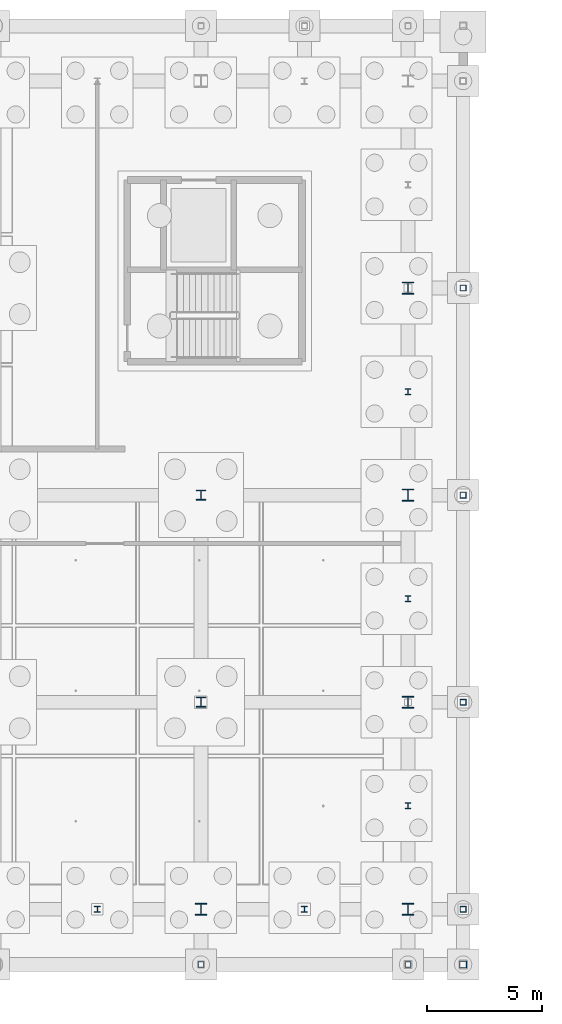
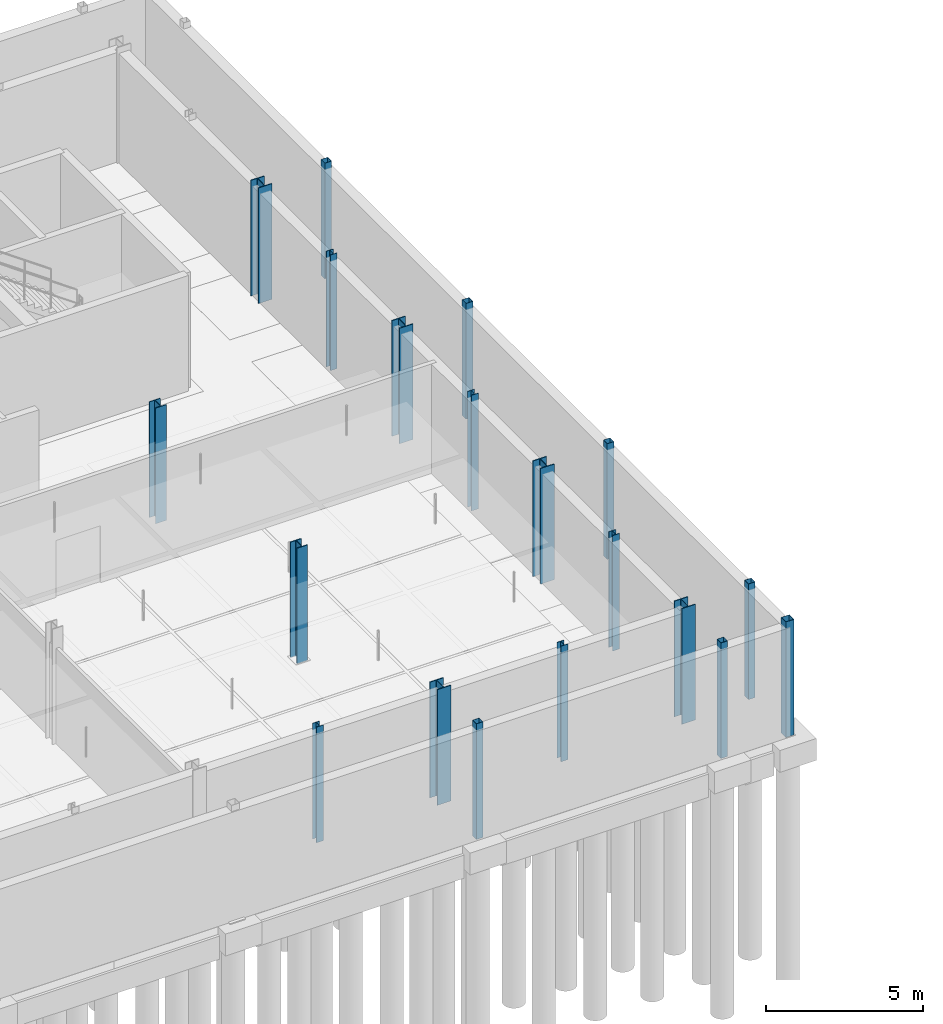
# One storey, part 8 of 48: 19 columns.
"""IFC4 building model written with IfcOpenShell, lengths in metres."""

import ifcopenshell
import ifcopenshell.guid

model = None  # the IFC model being written
_history = None  # IfcOwnerHistory: only IFC2X3 demands one
_inside = {}  # id of a spatial element -> (the spatial element, [elements in it])
_under = {}  # id of a project, library or spatial element -> (it, [spatial elements below it])
_declared = {}  # id of a project -> (the project, [libraries it declares])
_typed = {}  # id of a type object -> (the type object, [elements of that type])
_made_of = {}  # id of a material, layer set ... -> (it, [elements and type objects made of it])


def new_model(schema):
    """Start an empty IFC model of exactly this schema.

    Asked for "IFC4X3", IfcOpenShell would pick the latest addendum, in which some entities
    have other attributes; the version numbers below select the first issue.
    IFC2X3 requires an IfcOwnerHistory on every rooted entity: one is made here for all.
    """
    global model, _history
    if schema == "IFC4X3":
        model = ifcopenshell.file(schema_version=(4, 3, 0, 0))
    else:
        model = ifcopenshell.file(schema=schema)
    _inside.clear()
    _under.clear()
    _declared.clear()
    _typed.clear()
    _made_of.clear()
    _history = None
    if model.schema == "IFC2X3":
        org = make("IfcOrganization", Name="unknown")
        user = make(
            "IfcPersonAndOrganization",
            ThePerson=make("IfcPerson", FamilyName="unknown"),
            TheOrganization=org,
        )
        app = make(
            "IfcApplication",
            ApplicationDeveloper=org,
            Version="unknown",
            ApplicationFullName="unknown",
            ApplicationIdentifier="unknown",
        )
        _history = make(
            "IfcOwnerHistory",
            OwningUser=user,
            OwningApplication=app,
            ChangeAction="ADDED",
            CreationDate=0,
        )
    return model


def make(cls, **values):
    """One entity of the class cls with the attributes given. An attribute that is None is left unset."""
    return model.create_entity(
        cls, **{name: value for name, value in values.items() if value is not None}
    )


def rooted(cls, **values):
    """An entity with a GlobalId (a new one), such as an element, a storey or a relation."""
    return make(cls, GlobalId=ifcopenshell.guid.new(), OwnerHistory=_history, **values)


def si_unit(unit_type, name, prefix=None):
    """IfcSIUnit, for example si_unit("LENGTHUNIT", "METRE", prefix="MILLI")."""
    return make("IfcSIUnit", UnitType=unit_type, Prefix=prefix, Name=name)


def assignment(units):
    """IfcUnitAssignment: the units of a project."""
    return None if units is None else make("IfcUnitAssignment", Units=units)


def point(xyz):
    """IfcCartesianPoint."""
    return None if xyz is None else make("IfcCartesianPoint", Coordinates=xyz)


def direction(xyz):
    """IfcDirection."""
    return None if xyz is None else make("IfcDirection", DirectionRatios=xyz)


def frame(location, z_axis=None, x_axis=None):
    """IfcAxis2Placement3D, a coordinate frame: its origin and axes. An axis left out is left unset."""
    return make(
        "IfcAxis2Placement3D",
        Location=point(location),
        Axis=direction(z_axis),
        RefDirection=direction(x_axis),
    )


def frame_2d(location, x_axis=None):
    """IfcAxis2Placement2D, a coordinate frame in the plane: its origin and x axis."""
    return make(
        "IfcAxis2Placement2D", Location=point(location), RefDirection=direction(x_axis)
    )


def origin():
    """The frame at (0, 0, 0) with its axes left unset."""
    return frame((0.0, 0.0, 0.0))


def origin_2d():
    """The frame at (0, 0) in the plane with its x axis left unset."""
    return frame_2d((0.0, 0.0))


def place(relative_to, where):
    """IfcLocalPlacement: puts the frame where relative to a parent placement (None: the world)."""
    return make(
        "IfcLocalPlacement", PlacementRelTo=relative_to, RelativePlacement=where
    )


def context(
    kind, dimensions, precision=None, world=None, true_north=None, identifier=None
):
    """IfcGeometricRepresentationContext, for example the 3D "Model" context."""
    return make(
        "IfcGeometricRepresentationContext",
        ContextIdentifier=identifier,
        ContextType=kind,
        CoordinateSpaceDimension=dimensions,
        Precision=precision,
        WorldCoordinateSystem=world,
        TrueNorth=true_north,
    )


def subcontext(parent, identifier, kind, view, scale=None):
    """IfcGeometricRepresentationSubContext, for example "Body" below "Model"."""
    return make(
        "IfcGeometricRepresentationSubContext",
        ContextIdentifier=identifier,
        ContextType=kind,
        ParentContext=parent,
        TargetScale=scale,
        TargetView=view,
    )


def project(units=None, contexts=None):
    """IfcProject with its units and contexts."""
    return rooted(
        "IfcProject",
        Name="project",
        RepresentationContexts=contexts,
        UnitsInContext=assignment(units),
    )


def spatial(cls, under=None, at=None, **own):
    """A site, building, storey or space (cls), placed at a placement, below another one or the project."""
    s = rooted(cls, ObjectPlacement=at, **own)
    if under is not None:
        _under.setdefault(under.id(), (under, []))[1].append(s)
    return s


def profile(cls, at=None, kind="AREA", **sizes):
    """A parametric profile (cls). Its sizes go by their IFC names, for example OverallWidth=200.0."""
    return make(cls, ProfileType=kind, Position=at, **sizes)


def hollow_rectangle(**sizes):
    """IfcRectangleHollowProfileDef."""
    return profile("IfcRectangleHollowProfileDef", **sizes)


def i_section(**sizes):
    """IfcIShapeProfileDef."""
    return profile("IfcIShapeProfileDef", **sizes)


def extrude(swept, where, along, depth):
    """IfcExtrudedAreaSolid: the profile swept, set in the frame where, extruded along a direction by depth."""
    return make(
        "IfcExtrudedAreaSolid",
        SweptArea=swept,
        Position=where,
        ExtrudedDirection=direction(along),
        Depth=depth,
    )


def shape(context_of_items, identifier, shape_type, items):
    """IfcShapeRepresentation: the items that make up one representation, for example the "Body"."""
    return make(
        "IfcShapeRepresentation",
        ContextOfItems=context_of_items,
        RepresentationIdentifier=identifier,
        RepresentationType=shape_type,
        Items=items,
    )


def material(Name=None, Category=None):
    """IfcMaterial."""
    return make("IfcMaterial", Name=Name, Category=Category)


def material_profile(
    of_material, cross_section, Name=None, Category=None, Priority=None
):
    """IfcMaterialProfile: a cross section and its material."""
    return make(
        "IfcMaterialProfile",
        Name=Name,
        Material=of_material,
        Profile=cross_section,
        Priority=Priority,
        Category=Category,
    )


def profile_set(profiles, Name=None, composite=None):
    """IfcMaterialProfileSet."""
    return make(
        "IfcMaterialProfileSet",
        Name=Name,
        MaterialProfiles=profiles,
        CompositeProfile=composite,
    )


def made_of(thing, what):
    """Note that an element or type object is made of a material, layer set ...; save() writes the relation."""
    if what is not None:
        _made_of.setdefault(what.id(), (what, []))[1].append(thing)
    return thing


def type_object(cls, material=None, **own):
    """A type object (cls), such as IfcWallType, which elements share."""
    return made_of(rooted(cls, **own), material)


def element(
    cls,
    number,
    at=None,
    inside=None,
    cuts=None,
    type_object=None,
    material=None,
    context=None,
    identifier="Body",
    shape_type=None,
    held_by="IfcProductDefinitionShape",
    body=None,
    shapes=None,
    **own,
):
    """One element of the class cls, such as IfcWall. Its Tag is "e" and its number.

    at: its placement. inside: the storey or other place that contains it. cuts: it is an
    opening in that element (IfcRelVoidsElement). A single representation is given by context,
    identifier, shape_type and body (its items); several are given by shapes. held_by: the class
    of the entity that holds the representations. save() writes the other relations.
    """
    e = rooted(cls, Tag="e%d" % number, ObjectPlacement=at, **own)
    if body is not None:
        shapes = [shape(context, identifier, shape_type, body)]
    if shapes is not None:
        e.Representation = make(held_by, Representations=shapes)
    if inside is not None:
        _inside.setdefault(inside.id(), (inside, []))[1].append(e)
    if cuts is not None:
        rooted(
            "IfcRelVoidsElement", RelatingBuildingElement=cuts, RelatedOpeningElement=e
        )
    if type_object is not None:
        _typed.setdefault(type_object.id(), (type_object, []))[1].append(e)
    return made_of(e, material)


def aggregate(whole, parts):
    """IfcRelAggregates: a whole, such as a stair, and the parts it consists of."""
    return rooted("IfcRelAggregates", RelatingObject=whole, RelatedObjects=parts)


def save(model, path):
    """Write the relations noted so far, then the file.

    IfcRelAggregates (storeys below a building ...), IfcRelContainedInSpatialStructure (elements
    in a storey), IfcRelDefinesByType, IfcRelAssociatesMaterial and IfcRelDeclares: one each for
    every whole, place, type object, material and project.
    """
    for whole, parts in _under.values():
        aggregate(whole, parts)
    for where, things in _inside.values():
        rooted(
            "IfcRelContainedInSpatialStructure",
            RelatedElements=things,
            RelatingStructure=where,
        )
    for kind, things in _typed.values():
        rooted("IfcRelDefinesByType", RelatedObjects=things, RelatingType=kind)
    for what, things in _made_of.values():
        rooted("IfcRelAssociatesMaterial", RelatedObjects=things, RelatingMaterial=what)
    for by, libraries in _declared.values():
        rooted("IfcRelDeclares", RelatingContext=by, RelatedDefinitions=libraries)
    model.write(path)


model = new_model("IFC4")

# Units and contexts
model_context = context("Model", 3, precision=1e-05, world=origin(), true_north=direction((0.0, 1.0)))
body_context = subcontext(model_context, "Body", "Model", "MODEL_VIEW")
ifc_project = project(units=[si_unit("LENGTHUNIT", "METRE"), si_unit("AREAUNIT", "SQUARE_METRE"), si_unit("VOLUMEUNIT", "CUBIC_METRE"), si_unit("PLANEANGLEUNIT", "RADIAN"), si_unit("MASSUNIT", "GRAM", prefix="KILO"), si_unit("THERMODYNAMICTEMPERATUREUNIT", "KELVIN"), si_unit("POWERUNIT", "WATT")], contexts=[model_context])

# Site, building, storey
site_placement = place(None, origin())
site = spatial("IfcSite", under=ifc_project, at=site_placement, CompositionType="ELEMENT")
building_placement = place(site_placement, origin())
building = spatial("IfcBuilding", under=site, at=building_placement, Name="Tallowbark Science Centre", CompositionType="ELEMENT")
storey_placement = place(building_placement, frame((0.0, 0.0, -4.5)))
storey = spatial("IfcBuildingStorey", under=building, at=storey_placement, Name="B1", CompositionType="ELEMENT", Elevation=-4.5)

# Columns
ifc_material_1 = material(Name="White Architectural Painted Steel Grade C350L0 (350 MPa)", Category="steel")
ifc_material_profile_1 = material_profile(ifc_material_1, hollow_rectangle(XDim=0.25, YDim=0.25, WallThickness=0.009033203125, at=origin_2d()), Name="250x250x9.0SHS")
ifc_profile_set_1 = profile_set([ifc_material_profile_1], Name="White Architectural Painted Steel Grade C350L0 (350 MPa)")
column_type_1 = type_object("IfcColumnType", Name="COL-SCR200", PredefinedType="COLUMN", material=ifc_profile_set_1)
for number, where, z_axis, x_axis, name in (
    (1, (94.5, 2.10009765625, 0.0), (0.0, 0.0, 1.0), (1.0, 0.0, 0.0), "Column SCR-S05 B1"),
    (2, (103.5, 2.10009765625, 0.0), (0.0, 0.0, 1.0), (1.0, 0.0, 0.0), "Column SCR-S06 B1"),
    (3, (105.89990234375, 4.5, 0.0), (0.0, 0.0, 1.0), (1.0, 0.0, 0.0), "Column SCR-E01 B1"),
    (4, (105.89990234375, 13.5, 0.0), (0.0, 0.0, 1.0), (1.0, 0.0, 0.0), "Column SCR-E02 B1"),
    (5, (105.89990234375, 22.5, 0.0), (0.0, 0.0, 1.0), (1.0, 0.0, 0.0), "Column SCR-E03 B1"),
    (6, (105.89990234375, 31.5, 0.0), (0.0, 0.0, 1.0), (1.0, 0.0, 0.0), "Column SCR-E04 B1"),
):
    element("IfcColumn", number, at=place(storey_placement, frame(where, z_axis=z_axis, x_axis=x_axis)), inside=storey, type_object=column_type_1, Name=name, PredefinedType="COLUMN", context=body_context, shape_type="SweptSolid", body=[
        extrude(hollow_rectangle(XDim=0.25, YDim=0.25, WallThickness=0.009033203125, at=origin_2d()), origin(), (0.0, 0.0, 1.0), 4.5),
    ])
ifc_material_profile_2 = material_profile(ifc_material_1, hollow_rectangle(XDim=0.300048828125, YDim=0.300048828125, WallThickness=0.010009765625, at=origin_2d()), Name="300x300x10.0SHS")
ifc_profile_set_2 = profile_set([ifc_material_profile_2], Name="White Architectural Painted Steel Grade C350L0 (350 MPa)")
column_type_2 = type_object("IfcColumnType", Name="COL-SCR300", PredefinedType="COLUMN", material=ifc_profile_set_2)
column_placement = place(storey_placement, frame((105.89990234375, 2.10009765625, 0.0), z_axis=(0.0, 0.0, 1.0), x_axis=(1.0, 0.0, 0.0)))
element("IfcColumn", 7, at=column_placement, inside=storey, type_object=column_type_2, Name="Column SCR-S07 B1", PredefinedType="COLUMN", context=body_context, shape_type="SweptSolid", body=[
    extrude(hollow_rectangle(XDim=0.300048828125, YDim=0.300048828125, WallThickness=0.010009765625, at=origin_2d()), origin(), (0.0, 0.0, 1.0), 4.5),
])
ifc_material_2 = material(Name="Structural Steel Grade 300PLUS (300 MPa)", Category="steel")
ifc_material_profile_3 = material_profile(ifc_material_2, i_section(OverallWidth=0.39990234375, OverallDepth=0.427978515625, WebThickness=0.02001953125, FlangeThickness=0.028076171875, FilletRadius=0.01611328125, at=origin_2d()), Name="400WC270")
ifc_profile_set_3 = profile_set([ifc_material_profile_3], Name="Structural Steel Grade 300PLUS (300 MPa)")
column_type_3 = type_object("IfcColumnType", Name="COL-WC400", PredefinedType="COLUMN", material=ifc_profile_set_3)
for number, where, z_axis, x_axis, name in (
    (8, (94.5, 13.5, 0.0), (0.0, 0.0, 1.0), (1.0, 0.0, 0.0), "Column CUB-M4_1 B1"),
    (9, (94.5, 22.5, 0.0), (0.0, 0.0, 1.0), (1.0, 0.0, 0.0), "Column CUB-M4_2 B1"),
):
    element("IfcColumn", number, at=place(storey_placement, frame(where, z_axis=z_axis, x_axis=x_axis)), inside=storey, type_object=column_type_3, Name=name, PredefinedType="COLUMN", context=body_context, shape_type="SweptSolid", body=[
        extrude(i_section(OverallWidth=0.39990234375, OverallDepth=0.427978515625, WebThickness=0.02001953125, FlangeThickness=0.028076171875, FilletRadius=0.01611328125, at=origin_2d()), origin(), (0.0, 0.0, 1.0), 4.5),
    ])
ifc_material_profile_4 = material_profile(ifc_material_2, i_section(OverallWidth=0.5, OverallDepth=0.513916015625, WebThickness=0.02197265625, FlangeThickness=0.031982421875, FilletRadius=0.01611328125, at=origin_2d()), Name="500WC340")
ifc_profile_set_4 = profile_set([ifc_material_profile_4], Name="Structural Steel Grade 300PLUS (300 MPa)")
column_type_4 = type_object("IfcColumnType", Name="COL-WC500", PredefinedType="COLUMN", material=ifc_profile_set_4)
for number, where, z_axis, x_axis, name in (
    (10, (94.5, 4.5, 0.0), (0.0, 0.0, 1.0), (1.0, 0.0, 0.0), "Column CUB-M4_0 B1"),
    (11, (103.5, 4.5, 0.0), (0.0, 0.0, 1.0), (1.0, 0.0, 0.0), "Column CUB-M5_0 B1"),
    (12, (103.5, 13.5, 0.0), (0.0, 0.0, 1.0), (1.0, 0.0, 0.0), "Column CUB-M5_1 B1"),
    (13, (103.5, 22.5, 0.0), (0.0, 0.0, 1.0), (1.0, 0.0, 0.0), "Column CUB-M5_2 B1"),
    (14, (103.5, 31.5, 0.0), (0.0, 0.0, 1.0), (1.0, 0.0, 0.0), "Column CUB-M5_3 B1"),
):
    element("IfcColumn", number, at=place(storey_placement, frame(where, z_axis=z_axis, x_axis=x_axis)), inside=storey, type_object=column_type_4, Name=name, PredefinedType="COLUMN", context=body_context, shape_type="SweptSolid", body=[
        extrude(i_section(OverallWidth=0.5, OverallDepth=0.513916015625, WebThickness=0.02197265625, FlangeThickness=0.031982421875, FilletRadius=0.01611328125, at=origin_2d()), origin(), (0.0, 0.0, 1.0), 4.5),
    ])
ifc_material_profile_5 = material_profile(ifc_material_2, i_section(OverallWidth=0.256103515625, OverallDepth=0.260009765625, WebThickness=0.010498046875, FlangeThickness=0.017333984375, FilletRadius=0.013916015625, at=origin_2d()), Name="250UC89.5")
ifc_profile_set_5 = profile_set([ifc_material_profile_5], Name="Structural Steel Grade 300PLUS (300 MPa)")
column_type_5 = type_object("IfcColumnType", Name="PIL-UC250", PredefinedType="PILASTER", material=ifc_profile_set_5)
for number, where, z_axis, x_axis, name in (
    (15, (90.0, 4.5, 0.0), (0.0, 0.0, 1.0), (1.0, 0.0, 0.0), "Column CUB-PS-3 B1"),
    (16, (99.0, 4.5, 0.0), (0.0, 0.0, 1.0), (1.0, 0.0, 0.0), "Column CUB-PS-4 B1"),
    (17, (103.5, 9.0, 0.0), (0.0, 0.0, 1.0), (1.0, 0.0, 0.0), "Column CUB-PE-0 B1"),
    (18, (103.5, 18.0, 0.0), (0.0, 0.0, 1.0), (1.0, 0.0, 0.0), "Column CUB-PE-1 B1"),
    (19, (103.5, 27.0, 0.0), (0.0, 0.0, 1.0), (1.0, 0.0, 0.0), "Column CUB-PE-2 B1"),
):
    element("IfcColumn", number, at=place(storey_placement, frame(where, z_axis=z_axis, x_axis=x_axis)), inside=storey, type_object=column_type_5, Name=name, PredefinedType="PILASTER", context=body_context, shape_type="SweptSolid", body=[
        extrude(i_section(OverallWidth=0.256103515625, OverallDepth=0.260009765625, WebThickness=0.010498046875, FlangeThickness=0.017333984375, FilletRadius=0.013916015625, at=origin_2d()), origin(), (0.0, 0.0, 1.0), 4.5),
    ])

save(model, "model.ifc")
